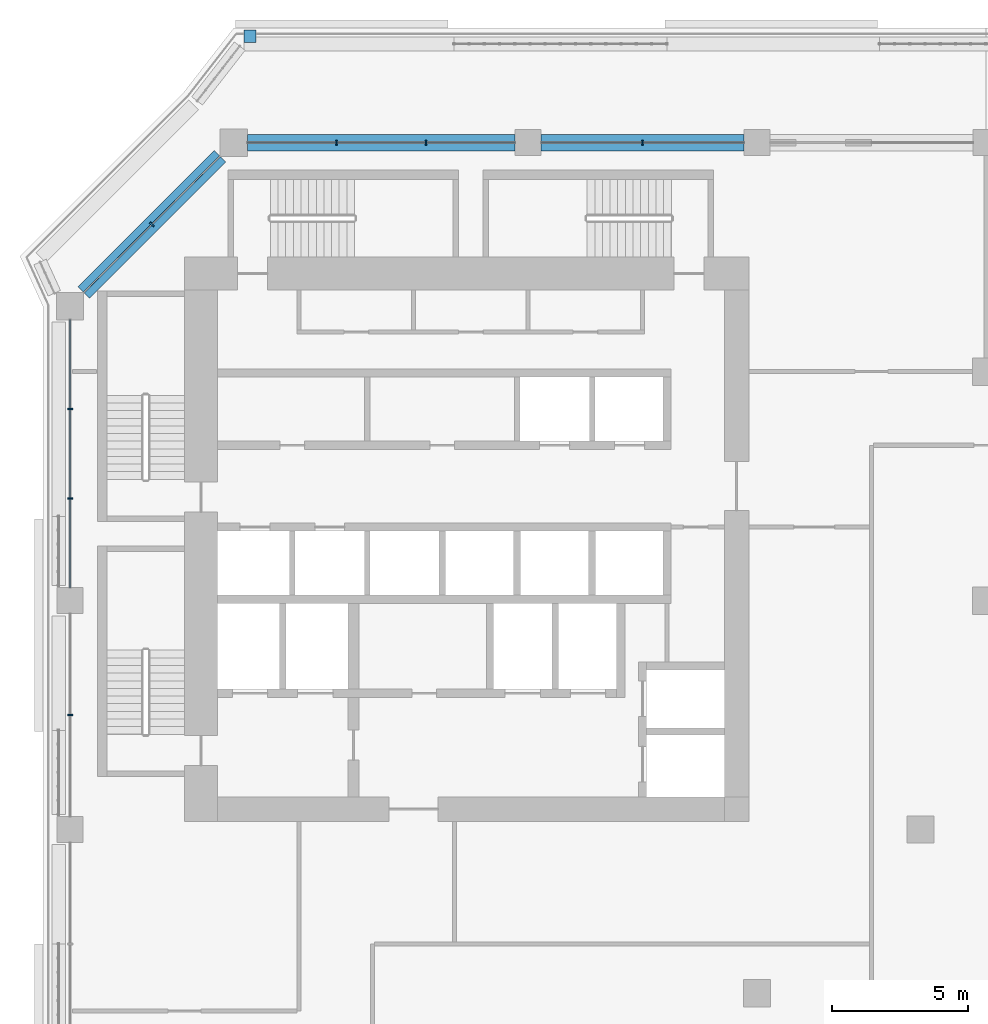
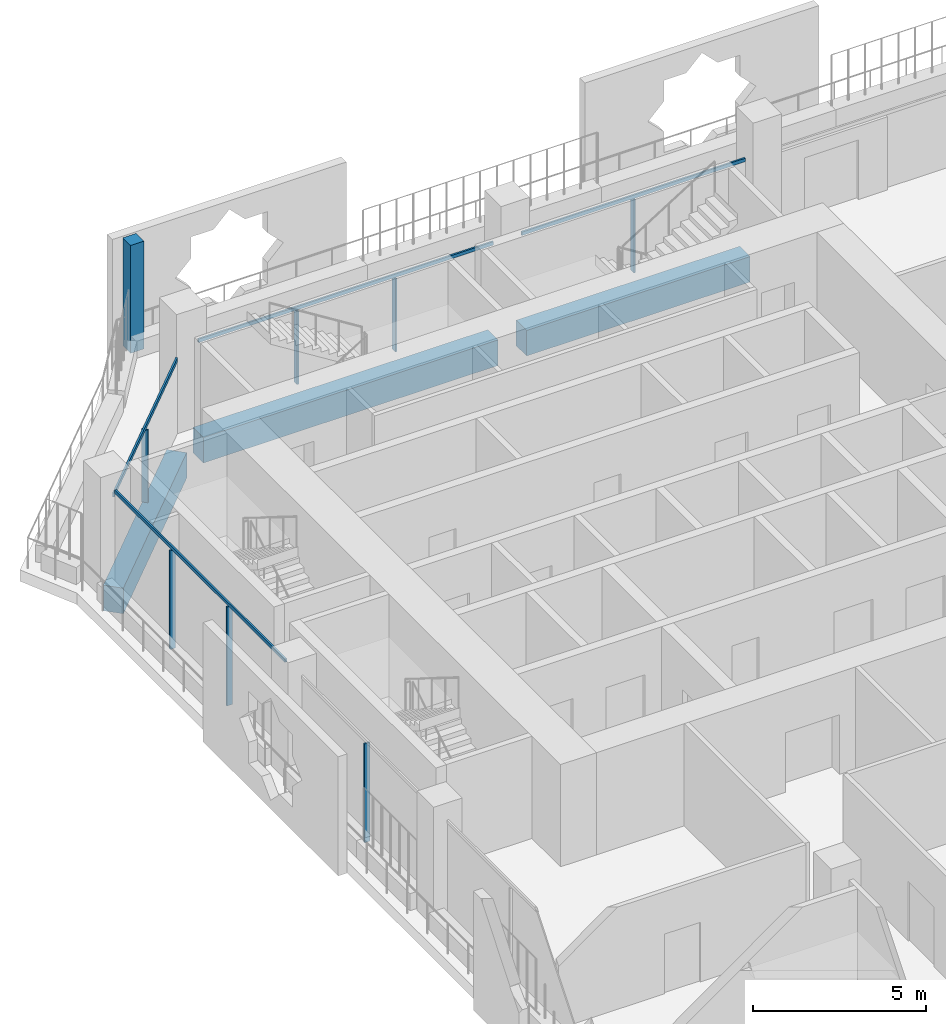
# One storey, part 5 of 23: 12 members, 3 beams, 4 elements without a shape of their own.
"""IFC4 building model written with IfcOpenShell, lengths in metres."""

import ifcopenshell
import ifcopenshell.guid

model = None  # the IFC model being written
_history = None  # IfcOwnerHistory: only IFC2X3 demands one
_inside = {}  # id of a spatial element -> (the spatial element, [elements in it])
_under = {}  # id of a project, library or spatial element -> (it, [spatial elements below it])
_declared = {}  # id of a project -> (the project, [libraries it declares])
_typed = {}  # id of a type object -> (the type object, [elements of that type])
_made_of = {}  # id of a material, layer set ... -> (it, [elements and type objects made of it])


def new_model(schema):
    """Start an empty IFC model of exactly this schema.

    Asked for "IFC4X3", IfcOpenShell would pick the latest addendum, in which some entities
    have other attributes; the version numbers below select the first issue.
    IFC2X3 requires an IfcOwnerHistory on every rooted entity: one is made here for all.
    """
    global model, _history
    if schema == "IFC4X3":
        model = ifcopenshell.file(schema_version=(4, 3, 0, 0))
    else:
        model = ifcopenshell.file(schema=schema)
    _inside.clear()
    _under.clear()
    _declared.clear()
    _typed.clear()
    _made_of.clear()
    _history = None
    if model.schema == "IFC2X3":
        org = make("IfcOrganization", Name="unknown")
        user = make(
            "IfcPersonAndOrganization",
            ThePerson=make("IfcPerson", FamilyName="unknown"),
            TheOrganization=org,
        )
        app = make(
            "IfcApplication",
            ApplicationDeveloper=org,
            Version="unknown",
            ApplicationFullName="unknown",
            ApplicationIdentifier="unknown",
        )
        _history = make(
            "IfcOwnerHistory",
            OwningUser=user,
            OwningApplication=app,
            ChangeAction="ADDED",
            CreationDate=0,
        )
    return model


def make(cls, **values):
    """One entity of the class cls with the attributes given. An attribute that is None is left unset."""
    return model.create_entity(
        cls, **{name: value for name, value in values.items() if value is not None}
    )


def rooted(cls, **values):
    """An entity with a GlobalId (a new one), such as an element, a storey or a relation."""
    return make(cls, GlobalId=ifcopenshell.guid.new(), OwnerHistory=_history, **values)


def si_unit(unit_type, name, prefix=None):
    """IfcSIUnit, for example si_unit("LENGTHUNIT", "METRE", prefix="MILLI")."""
    return make("IfcSIUnit", UnitType=unit_type, Prefix=prefix, Name=name)


def assignment(units):
    """IfcUnitAssignment: the units of a project."""
    return None if units is None else make("IfcUnitAssignment", Units=units)


def point(xyz):
    """IfcCartesianPoint."""
    return None if xyz is None else make("IfcCartesianPoint", Coordinates=xyz)


def direction(xyz):
    """IfcDirection."""
    return None if xyz is None else make("IfcDirection", DirectionRatios=xyz)


def frame(location, z_axis=None, x_axis=None):
    """IfcAxis2Placement3D, a coordinate frame: its origin and axes. An axis left out is left unset."""
    return make(
        "IfcAxis2Placement3D",
        Location=point(location),
        Axis=direction(z_axis),
        RefDirection=direction(x_axis),
    )


def frame_2d(location, x_axis=None):
    """IfcAxis2Placement2D, a coordinate frame in the plane: its origin and x axis."""
    return make(
        "IfcAxis2Placement2D", Location=point(location), RefDirection=direction(x_axis)
    )


def origin():
    """The frame at (0, 0, 0) with its axes left unset."""
    return frame((0.0, 0.0, 0.0))


def origin_2d():
    """The frame at (0, 0) in the plane with its x axis left unset."""
    return frame_2d((0.0, 0.0))


def place(relative_to, where):
    """IfcLocalPlacement: puts the frame where relative to a parent placement (None: the world)."""
    return make(
        "IfcLocalPlacement", PlacementRelTo=relative_to, RelativePlacement=where
    )


def context(
    kind, dimensions, precision=None, world=None, true_north=None, identifier=None
):
    """IfcGeometricRepresentationContext, for example the 3D "Model" context."""
    return make(
        "IfcGeometricRepresentationContext",
        ContextIdentifier=identifier,
        ContextType=kind,
        CoordinateSpaceDimension=dimensions,
        Precision=precision,
        WorldCoordinateSystem=world,
        TrueNorth=true_north,
    )


def subcontext(parent, identifier, kind, view, scale=None):
    """IfcGeometricRepresentationSubContext, for example "Body" below "Model"."""
    return make(
        "IfcGeometricRepresentationSubContext",
        ContextIdentifier=identifier,
        ContextType=kind,
        ParentContext=parent,
        TargetScale=scale,
        TargetView=view,
    )


def project(units=None, contexts=None):
    """IfcProject with its units and contexts."""
    return rooted(
        "IfcProject",
        Name="project",
        RepresentationContexts=contexts,
        UnitsInContext=assignment(units),
    )


def spatial(cls, under=None, at=None, **own):
    """A site, building, storey or space (cls), placed at a placement, below another one or the project."""
    s = rooted(cls, ObjectPlacement=at, **own)
    if under is not None:
        _under.setdefault(under.id(), (under, []))[1].append(s)
    return s


def profile(cls, at=None, kind="AREA", **sizes):
    """A parametric profile (cls). Its sizes go by their IFC names, for example OverallWidth=200.0."""
    return make(cls, ProfileType=kind, Position=at, **sizes)


def rectangle(**sizes):
    """IfcRectangleProfileDef."""
    return profile("IfcRectangleProfileDef", **sizes)


def extrude(swept, where, along, depth):
    """IfcExtrudedAreaSolid: the profile swept, set in the frame where, extruded along a direction by depth."""
    return make(
        "IfcExtrudedAreaSolid",
        SweptArea=swept,
        Position=where,
        ExtrudedDirection=direction(along),
        Depth=depth,
    )


def shape(context_of_items, identifier, shape_type, items):
    """IfcShapeRepresentation: the items that make up one representation, for example the "Body"."""
    return make(
        "IfcShapeRepresentation",
        ContextOfItems=context_of_items,
        RepresentationIdentifier=identifier,
        RepresentationType=shape_type,
        Items=items,
    )


def material(Name=None, Category=None):
    """IfcMaterial."""
    return make("IfcMaterial", Name=Name, Category=Category)


def layer(
    of_material, thickness, ventilated=None, Name=None, Category=None, Priority=None
):
    """IfcMaterialLayer: one layer of a wall or slab, of a material (None: an air gap)."""
    return make(
        "IfcMaterialLayer",
        Material=of_material,
        LayerThickness=thickness,
        IsVentilated=ventilated,
        Name=Name,
        Category=Category,
        Priority=Priority,
    )


def layer_set(layers, Name=None):
    """IfcMaterialLayerSet."""
    return make("IfcMaterialLayerSet", MaterialLayers=layers, LayerSetName=Name)


def material_profile(
    of_material, cross_section, Name=None, Category=None, Priority=None
):
    """IfcMaterialProfile: a cross section and its material."""
    return make(
        "IfcMaterialProfile",
        Name=Name,
        Material=of_material,
        Profile=cross_section,
        Priority=Priority,
        Category=Category,
    )


def profile_set(profiles, Name=None, composite=None):
    """IfcMaterialProfileSet."""
    return make(
        "IfcMaterialProfileSet",
        Name=Name,
        MaterialProfiles=profiles,
        CompositeProfile=composite,
    )


def made_of(thing, what):
    """Note that an element or type object is made of a material, layer set ...; save() writes the relation."""
    if what is not None:
        _made_of.setdefault(what.id(), (what, []))[1].append(thing)
    return thing


def type_object(cls, material=None, **own):
    """A type object (cls), such as IfcWallType, which elements share."""
    return made_of(rooted(cls, **own), material)


def element(
    cls,
    number,
    at=None,
    inside=None,
    cuts=None,
    type_object=None,
    material=None,
    context=None,
    identifier="Body",
    shape_type=None,
    held_by="IfcProductDefinitionShape",
    body=None,
    shapes=None,
    **own,
):
    """One element of the class cls, such as IfcWall. Its Tag is "e" and its number.

    at: its placement. inside: the storey or other place that contains it. cuts: it is an
    opening in that element (IfcRelVoidsElement). A single representation is given by context,
    identifier, shape_type and body (its items); several are given by shapes. held_by: the class
    of the entity that holds the representations. save() writes the other relations.
    """
    e = rooted(cls, Tag="e%d" % number, ObjectPlacement=at, **own)
    if body is not None:
        shapes = [shape(context, identifier, shape_type, body)]
    if shapes is not None:
        e.Representation = make(held_by, Representations=shapes)
    if inside is not None:
        _inside.setdefault(inside.id(), (inside, []))[1].append(e)
    if cuts is not None:
        rooted(
            "IfcRelVoidsElement", RelatingBuildingElement=cuts, RelatedOpeningElement=e
        )
    if type_object is not None:
        _typed.setdefault(type_object.id(), (type_object, []))[1].append(e)
    return made_of(e, material)


def aggregate(whole, parts):
    """IfcRelAggregates: a whole, such as a stair, and the parts it consists of."""
    return rooted("IfcRelAggregates", RelatingObject=whole, RelatedObjects=parts)


def save(model, path):
    """Write the relations noted so far, then the file.

    IfcRelAggregates (storeys below a building ...), IfcRelContainedInSpatialStructure (elements
    in a storey), IfcRelDefinesByType, IfcRelAssociatesMaterial and IfcRelDeclares: one each for
    every whole, place, type object, material and project.
    """
    for whole, parts in _under.values():
        aggregate(whole, parts)
    for where, things in _inside.values():
        rooted(
            "IfcRelContainedInSpatialStructure",
            RelatedElements=things,
            RelatingStructure=where,
        )
    for kind, things in _typed.values():
        rooted("IfcRelDefinesByType", RelatedObjects=things, RelatingType=kind)
    for what, things in _made_of.values():
        rooted("IfcRelAssociatesMaterial", RelatedObjects=things, RelatingMaterial=what)
    for by, libraries in _declared.values():
        rooted("IfcRelDeclares", RelatingContext=by, RelatedDefinitions=libraries)
    model.write(path)


model = new_model("IFC4")

# Units and contexts
model_context = context("Model", 3, precision=1e-05, world=origin(), true_north=direction((0.0, 1.0)))
body_context = subcontext(model_context, "Body", "Model", "MODEL_VIEW")
ifc_project = project(units=[si_unit("LENGTHUNIT", "METRE"), si_unit("AREAUNIT", "SQUARE_METRE"), si_unit("VOLUMEUNIT", "CUBIC_METRE"), si_unit("PLANEANGLEUNIT", "RADIAN"), si_unit("MASSUNIT", "GRAM", prefix="KILO")], contexts=[model_context])

# Site, building, storey
site_placement = place(None, origin())
site = spatial("IfcSite", under=ifc_project, at=site_placement, CompositionType="ELEMENT")
building_placement = place(site_placement, origin())
building = spatial("IfcBuilding", under=site, at=building_placement, Name="Kawkab Arch Medical Tower", CompositionType="ELEMENT")
storey_placement = place(building_placement, frame((0.0, 0.0, 166.800048828125)))
storey = spatial("IfcBuildingStorey", under=building, at=storey_placement, Name="L38", CompositionType="ELEMENT", Elevation=166.800048828125)

# Curtain wall, members
ifc_material_1 = material(Name="Bronze anodised aluminium curtain wall frame", Category="aluminium")
ifc_layer_1 = layer(ifc_material_1, 0.159912109375)
ifc_layer_set_1 = layer_set([ifc_layer_1], Name="Bronze anodised aluminium curtain wall frame")
curtain_wall_type_1 = type_object("IfcCurtainWallType", Name="CW1 ward curtain wall", PredefinedType="NOTDEFINED", material=ifc_layer_set_1)
placement = place(storey_placement, origin())
curtain_wall_1 = element("IfcCurtainWall", 1, at=placement, inside=storey, type_object=curtain_wall_type_1, Name="CW1 Ward curtain wall R09", PredefinedType="NOTDEFINED")
ifc_material_2 = material(Name="Bronze anodised aluminium curtain wall frame", Category="aluminium")
ifc_material_profile_1 = material_profile(ifc_material_2, rectangle(XDim=0.179931640625, YDim=0.06005859375, at=origin_2d()), Name="AL 60x180")
ifc_profile_set_1 = profile_set([ifc_material_profile_1], Name="Bronze anodised aluminium curtain wall frame")
member_type_1 = type_object("IfcMemberType", Name="CW1 mullion 60 x 180", PredefinedType="MULLION", material=ifc_profile_set_1)
member_1_placement = place(storey_placement, frame((21.0, 0.0, 0.0), z_axis=(0.0, 0.0, 1.0), x_axis=(0.0, -1.0, 0.0)))
member_1 = element("IfcMember", 2, at=member_1_placement, type_object=member_type_1, Name="CW1 mullion 5.1", PredefinedType="MULLION", context=body_context, shape_type="SweptSolid", body=[
    extrude(rectangle(XDim=0.179931640625, YDim=0.06005859375, at=origin_2d()), origin(), (0.0, 0.0, 1.0), 2.579833984375),
])
member_2_placement = place(storey_placement, frame((13.050048828125, 0.0, 0.0), z_axis=(0.0, 0.0, 1.0), x_axis=(0.0, -1.0, 0.0)))
member_2 = element("IfcMember", 3, at=member_2_placement, type_object=member_type_1, Name="CW1 mullion 6.1", PredefinedType="MULLION", context=body_context, shape_type="SweptSolid", body=[
    extrude(rectangle(XDim=0.179931640625, YDim=0.06005859375, at=origin_2d()), origin(), (0.0, 0.0, 1.0), 2.579833984375),
])
member_3_placement = place(storey_placement, frame((9.77490234375, 0.0, 0.0), z_axis=(0.0, 0.0, 1.0), x_axis=(0.0, -1.0, 0.0)))
member_3 = element("IfcMember", 4, at=member_3_placement, type_object=member_type_1, Name="CW1 mullion 6.2", PredefinedType="MULLION", context=body_context, shape_type="SweptSolid", body=[
    extrude(rectangle(XDim=0.179931640625, YDim=0.06005859375, at=origin_2d()), origin(), (0.0, 0.0, 1.0), 2.579833984375),
])

curtain_wall_2 = element("IfcCurtainWall", 5, at=placement, inside=storey, type_object=curtain_wall_type_1, Name="CW1 Ward curtain wall R11", PredefinedType="NOTDEFINED")
member_4_placement = place(storey_placement, frame((0.0, -9.77490234375, 0.0), z_axis=(0.0, 0.0, 1.0), x_axis=(1.0, 0.0, 0.0)))
member_4 = element("IfcMember", 6, at=member_4_placement, type_object=member_type_1, Name="CW1 mullion 1.1", PredefinedType="MULLION", context=body_context, shape_type="SweptSolid", body=[
    extrude(rectangle(XDim=0.179931640625, YDim=0.06005859375, at=origin_2d()), origin(), (0.0, 0.0, 1.0), 3.47998046875),
])
member_5_placement = place(storey_placement, frame((0.0, -13.050048828125, 0.0), z_axis=(0.0, 0.0, 1.0), x_axis=(1.0, 0.0, 0.0)))
member_5 = element("IfcMember", 7, at=member_5_placement, type_object=member_type_1, Name="CW1 mullion 1.2", PredefinedType="MULLION", context=body_context, shape_type="SweptSolid", body=[
    extrude(rectangle(XDim=0.179931640625, YDim=0.06005859375, at=origin_2d()), origin(), (0.0, 0.0, 1.0), 3.47998046875),
])
member_6_placement = place(storey_placement, frame((0.0, -21.0, 0.0), z_axis=(0.0, 0.0, 1.0), x_axis=(1.0, 0.0, 0.0)))
member_6 = element("IfcMember", 8, at=member_6_placement, type_object=member_type_1, Name="CW1 mullion 2.1", PredefinedType="MULLION", context=body_context, shape_type="SweptSolid", body=[
    extrude(rectangle(XDim=0.179931640625, YDim=0.06005859375, at=origin_2d()), origin(), (0.0, 0.0, 1.0), 3.47998046875),
])

# Member
ifc_material_3 = material(Name="Bronze anodised aluminium curtain wall frame", Category="aluminium")
ifc_material_profile_2 = material_profile(ifc_material_3, rectangle(XDim=0.06005859375, YDim=0.1201171875, at=origin_2d()), Name="AL 60x120")
ifc_profile_set_2 = profile_set([ifc_material_profile_2], Name="Bronze anodised aluminium curtain wall frame")
member_type_2 = type_object("IfcMemberType", Name="CW1 transom 120 x 60", PredefinedType="USERDEFINED", material=ifc_profile_set_2)
member_7_placement = place(storey_placement, frame((24.72509765625, 0.0, 2.639892578125), z_axis=(-1.0, 0.0, 0.0), x_axis=(0.0, -1.0, 0.0)))
member_7 = element("IfcMember", 9, at=member_7_placement, type_object=member_type_2, Name="CW1 transom 5", ObjectType="TRANSOM", PredefinedType="USERDEFINED", context=body_context, shape_type="SweptSolid", body=[
    extrude(rectangle(XDim=0.06005859375, YDim=0.1201171875, at=origin_2d()), origin(), (0.0, 0.0, 1.0), 7.4501953125),
])

member_8_placement = place(storey_placement, frame((16.324951171875, 0.0, 2.639892578125), z_axis=(-1.0, 0.0, 0.0), x_axis=(0.0, -1.0, 0.0)))
member_8 = element("IfcMember", 10, at=member_8_placement, type_object=member_type_2, Name="CW1 transom 6", ObjectType="TRANSOM", PredefinedType="USERDEFINED", context=body_context, shape_type="SweptSolid", body=[
    extrude(rectangle(XDim=0.06005859375, YDim=0.1201171875, at=origin_2d()), origin(), (0.0, 0.0, 1.0), 9.824951171875),
])

aggregate(curtain_wall_1, [member_7, member_1, member_8, member_2, member_3])

member_9_placement = place(storey_placement, frame((0.0, -6.5, 3.5400390625), z_axis=(0.0, -1.0, 0.0), x_axis=(1.0, 0.0, 0.0)))
member_9 = element("IfcMember", 11, at=member_9_placement, type_object=member_type_2, Name="CW1 transom 1", ObjectType="TRANSOM", PredefinedType="USERDEFINED", context=body_context, shape_type="SweptSolid", body=[
    extrude(rectangle(XDim=0.06005859375, YDim=0.1201171875, at=origin_2d()), origin(), (0.0, 0.0, 1.0), 9.824951171875),
])

aggregate(curtain_wall_2, [member_9, member_4, member_5, member_6])

# Curtain wall, members
ifc_material_4 = material(Name="Bronze anodised aluminium curtain wall frame", Category="aluminium")
ifc_layer_2 = layer(ifc_material_4, 0.159912109375)
ifc_layer_set_2 = layer_set([ifc_layer_2], Name="Bronze anodised aluminium curtain wall frame")
curtain_wall_type_2 = type_object("IfcCurtainWallType", Name="CW2 chamfer curtain wall", PredefinedType="NOTDEFINED", material=ifc_layer_set_2)
curtain_wall_3 = element("IfcCurtainWall", 12, at=placement, inside=storey, type_object=curtain_wall_type_2, Name="CW2 Chamfer curtain wall R10", PredefinedType="NOTDEFINED")
ifc_material_5 = material(Name="Bronze anodised aluminium curtain wall frame", Category="aluminium")
ifc_material_profile_3 = material_profile(ifc_material_5, rectangle(XDim=0.199951171875, YDim=0.06005859375, at=origin_2d()), Name="AL 60x200")
ifc_profile_set_3 = profile_set([ifc_material_profile_3], Name="Bronze anodised aluminium curtain wall frame")
member_type_3 = type_object("IfcMemberType", Name="CW2 mullion 60 x 200", PredefinedType="MULLION", material=ifc_profile_set_3)
member_10_placement = place(storey_placement, frame((3.0, -3.0, 0.0), z_axis=(0.0, 0.0, 1.0), x_axis=(0.707106781187, -0.707106781187, 0.0)))
member_10 = element("IfcMember", 13, at=member_10_placement, type_object=member_type_3, Name="CW2 mullion 1.1", PredefinedType="MULLION", context=body_context, shape_type="SweptSolid", body=[
    extrude(rectangle(XDim=0.199951171875, YDim=0.06005859375, at=origin_2d()), origin(), (0.0, 0.0, 1.0), 2.56005859375),
])
ifc_material_6 = material(Name="Bronze anodised aluminium curtain wall frame", Category="aluminium")
ifc_material_profile_4 = material_profile(ifc_material_6, rectangle(XDim=0.06005859375, YDim=0.139892578125, at=origin_2d()), Name="AL 60x140")
ifc_profile_set_4 = profile_set([ifc_material_profile_4], Name="Bronze anodised aluminium curtain wall frame")
member_type_4 = type_object("IfcMemberType", Name="CW2 transom 140 x 60", PredefinedType="USERDEFINED", material=ifc_profile_set_4)
member_11_placement = place(storey_placement, frame((5.5, -0.5, 2.6298828125), z_axis=(-0.707106781187, -0.707106781187, 0.0), x_axis=(0.707106781187, -0.707106781187, 0.0)))
member_11 = element("IfcMember", 14, at=member_11_placement, type_object=member_type_4, Name="CW2 transom 1", ObjectType="TRANSOM", PredefinedType="USERDEFINED", context=body_context, shape_type="SweptSolid", body=[
    extrude(rectangle(XDim=0.06005859375, YDim=0.139892578125, at=origin_2d()), origin(), (0.0, 0.0, 1.0), 7.071044921875),
])
aggregate(curtain_wall_3, [member_11, member_10])

# Curtain wall, member
ifc_material_7 = material(Name="Bronze anodised aluminium climber frame, planted", Category="aluminium")
ifc_layer_3 = layer(ifc_material_7, 0.449951171875)
ifc_layer_set_3 = layer_set([ifc_layer_3], Name="Bronze anodised aluminium climber frame, planted")
curtain_wall_type_3 = type_object("IfcCurtainWallType", Name="Planted climber frame", PredefinedType="NOTDEFINED", material=ifc_layer_set_3)
curtain_wall_4 = element("IfcCurtainWall", 15, at=placement, inside=storey, type_object=curtain_wall_type_3, Name="Planted climber frame L38", PredefinedType="NOTDEFINED")
ifc_material_8 = material(Name="Bronze anodised aluminium climber frame, planted", Category="aluminium")
ifc_material_profile_5 = material_profile(ifc_material_8, rectangle(XDim=0.449951171875, YDim=0.449951171875, at=origin_2d()), Name="Post 450x450")
ifc_profile_set_5 = profile_set([ifc_material_profile_5], Name="Bronze anodised aluminium climber frame, planted")
member_type_5 = type_object("IfcMemberType", Name="Planted climber post 450 x 450", PredefinedType="MULLION", material=ifc_profile_set_5)
member_12_placement = place(storey_placement, frame((6.596923828125, 3.89990234375, 0.0), z_axis=(0.0, 0.0, 1.0), x_axis=(1.0, 0.0, 0.0)))
member_12 = element("IfcMember", 16, at=member_12_placement, type_object=member_type_5, Name="Planted climber post L38.LOG-01-02.1", PredefinedType="MULLION", context=body_context, shape_type="SweptSolid", body=[
    extrude(rectangle(XDim=0.449951171875, YDim=0.449951171875, at=origin_2d()), origin(), (0.0, 0.0, 1.0), 3.800048828125),
])
aggregate(curtain_wall_4, [member_12])

# Beams
ifc_material_9 = material(Name="Concrete C50/60", Category="concrete")
ifc_material_profile_6 = material_profile(ifc_material_9, rectangle(XDim=0.60009765625, YDim=0.89990234375, at=origin_2d()), Name="RC 600x900")
ifc_profile_set_6 = profile_set([ifc_material_profile_6], Name="Concrete C50/60")
beam_type = type_object("IfcBeamType", Name="RC 600x900 beam C50/60", PredefinedType="BEAM", material=ifc_profile_set_6)
beam_1_placement = place(storey_placement, frame((0.5, -5.5, -1.050048828125), z_axis=(0.707106781187, 0.707106781187, 0.0), x_axis=(-0.707106781187, 0.707106781187, 0.0)))
element("IfcBeam", 17, at=beam_1_placement, inside=storey, type_object=beam_type, Name="Overhang edge beam L38-01", PredefinedType="BEAM", context=body_context, shape_type="SweptSolid", body=[
    extrude(rectangle(XDim=0.60009765625, YDim=0.89990234375, at=origin_2d()), origin(), (0.0, 0.0, 1.0), 7.071044921875),
])
beam_2_placement = place(storey_placement, frame((6.5, 0.0, -1.050048828125), z_axis=(1.0, 0.0, 0.0), x_axis=(0.0, 1.0, 0.0)))
element("IfcBeam", 18, at=beam_2_placement, inside=storey, type_object=beam_type, Name="Overhang edge beam L38-02", PredefinedType="BEAM", context=body_context, shape_type="SweptSolid", body=[
    extrude(rectangle(XDim=0.60009765625, YDim=0.89990234375, at=origin_2d()), origin(), (0.0, 0.0, 1.0), 9.824951171875),
])
beam_3_placement = place(storey_placement, frame((17.27490234375, 0.0, -1.050048828125), z_axis=(1.0, 0.0, 0.0), x_axis=(0.0, 1.0, 0.0)))
element("IfcBeam", 19, at=beam_3_placement, inside=storey, type_object=beam_type, Name="Overhang edge beam L38-03", PredefinedType="BEAM", context=body_context, shape_type="SweptSolid", body=[
    extrude(rectangle(XDim=0.60009765625, YDim=0.89990234375, at=origin_2d()), origin(), (0.0, 0.0, 1.0), 7.4501953125),
])

save(model, "model.ifc")
